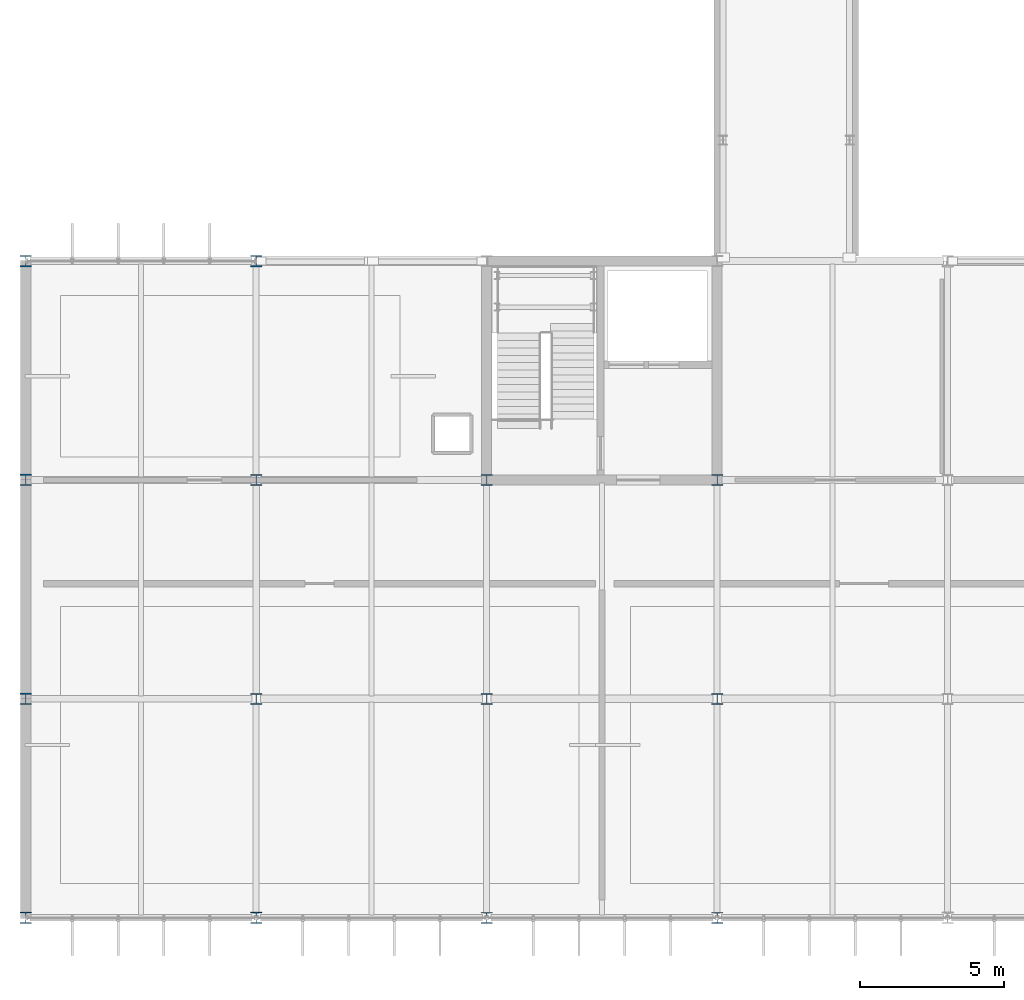
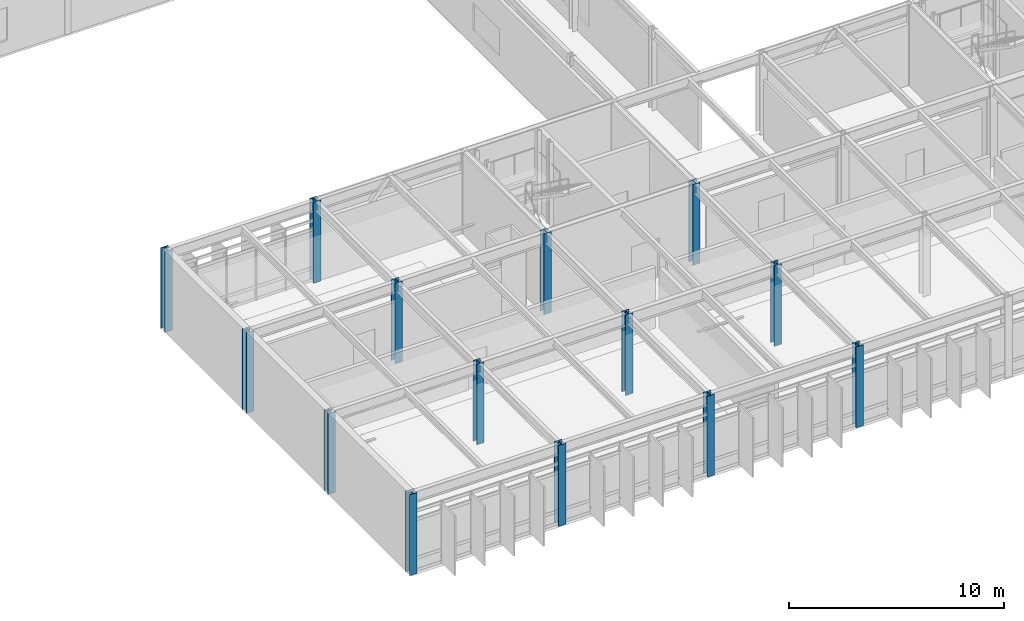
# One storey, part 1 of 104: 14 columns.
"""IFC4 building model written with IfcOpenShell, lengths in metres."""

import ifcopenshell
import ifcopenshell.guid

model = None  # the IFC model being written
_history = None  # IfcOwnerHistory: only IFC2X3 demands one
_inside = {}  # id of a spatial element -> (the spatial element, [elements in it])
_under = {}  # id of a project, library or spatial element -> (it, [spatial elements below it])
_declared = {}  # id of a project -> (the project, [libraries it declares])
_typed = {}  # id of a type object -> (the type object, [elements of that type])
_made_of = {}  # id of a material, layer set ... -> (it, [elements and type objects made of it])


def new_model(schema):
    """Start an empty IFC model of exactly this schema.

    Asked for "IFC4X3", IfcOpenShell would pick the latest addendum, in which some entities
    have other attributes; the version numbers below select the first issue.
    IFC2X3 requires an IfcOwnerHistory on every rooted entity: one is made here for all.
    """
    global model, _history
    if schema == "IFC4X3":
        model = ifcopenshell.file(schema_version=(4, 3, 0, 0))
    else:
        model = ifcopenshell.file(schema=schema)
    _inside.clear()
    _under.clear()
    _declared.clear()
    _typed.clear()
    _made_of.clear()
    _history = None
    if model.schema == "IFC2X3":
        org = make("IfcOrganization", Name="unknown")
        user = make(
            "IfcPersonAndOrganization",
            ThePerson=make("IfcPerson", FamilyName="unknown"),
            TheOrganization=org,
        )
        app = make(
            "IfcApplication",
            ApplicationDeveloper=org,
            Version="unknown",
            ApplicationFullName="unknown",
            ApplicationIdentifier="unknown",
        )
        _history = make(
            "IfcOwnerHistory",
            OwningUser=user,
            OwningApplication=app,
            ChangeAction="ADDED",
            CreationDate=0,
        )
    return model


def make(cls, **values):
    """One entity of the class cls with the attributes given. An attribute that is None is left unset."""
    return model.create_entity(
        cls, **{name: value for name, value in values.items() if value is not None}
    )


def rooted(cls, **values):
    """An entity with a GlobalId (a new one), such as an element, a storey or a relation."""
    return make(cls, GlobalId=ifcopenshell.guid.new(), OwnerHistory=_history, **values)


def si_unit(unit_type, name, prefix=None):
    """IfcSIUnit, for example si_unit("LENGTHUNIT", "METRE", prefix="MILLI")."""
    return make("IfcSIUnit", UnitType=unit_type, Prefix=prefix, Name=name)


def assignment(units):
    """IfcUnitAssignment: the units of a project."""
    return None if units is None else make("IfcUnitAssignment", Units=units)


def point(xyz):
    """IfcCartesianPoint."""
    return None if xyz is None else make("IfcCartesianPoint", Coordinates=xyz)


def direction(xyz):
    """IfcDirection."""
    return None if xyz is None else make("IfcDirection", DirectionRatios=xyz)


def frame(location, z_axis=None, x_axis=None):
    """IfcAxis2Placement3D, a coordinate frame: its origin and axes. An axis left out is left unset."""
    return make(
        "IfcAxis2Placement3D",
        Location=point(location),
        Axis=direction(z_axis),
        RefDirection=direction(x_axis),
    )


def frame_2d(location, x_axis=None):
    """IfcAxis2Placement2D, a coordinate frame in the plane: its origin and x axis."""
    return make(
        "IfcAxis2Placement2D", Location=point(location), RefDirection=direction(x_axis)
    )


def origin():
    """The frame at (0, 0, 0) with its axes left unset."""
    return frame((0.0, 0.0, 0.0))


def origin_2d():
    """The frame at (0, 0) in the plane with its x axis left unset."""
    return frame_2d((0.0, 0.0))


def place(relative_to, where):
    """IfcLocalPlacement: puts the frame where relative to a parent placement (None: the world)."""
    return make(
        "IfcLocalPlacement", PlacementRelTo=relative_to, RelativePlacement=where
    )


def context(
    kind, dimensions, precision=None, world=None, true_north=None, identifier=None
):
    """IfcGeometricRepresentationContext, for example the 3D "Model" context."""
    return make(
        "IfcGeometricRepresentationContext",
        ContextIdentifier=identifier,
        ContextType=kind,
        CoordinateSpaceDimension=dimensions,
        Precision=precision,
        WorldCoordinateSystem=world,
        TrueNorth=true_north,
    )


def subcontext(parent, identifier, kind, view, scale=None):
    """IfcGeometricRepresentationSubContext, for example "Body" below "Model"."""
    return make(
        "IfcGeometricRepresentationSubContext",
        ContextIdentifier=identifier,
        ContextType=kind,
        ParentContext=parent,
        TargetScale=scale,
        TargetView=view,
    )


def project(units=None, contexts=None):
    """IfcProject with its units and contexts."""
    return rooted(
        "IfcProject",
        Name="project",
        RepresentationContexts=contexts,
        UnitsInContext=assignment(units),
    )


def spatial(cls, under=None, at=None, **own):
    """A site, building, storey or space (cls), placed at a placement, below another one or the project."""
    s = rooted(cls, ObjectPlacement=at, **own)
    if under is not None:
        _under.setdefault(under.id(), (under, []))[1].append(s)
    return s


def profile(cls, at=None, kind="AREA", **sizes):
    """A parametric profile (cls). Its sizes go by their IFC names, for example OverallWidth=200.0."""
    return make(cls, ProfileType=kind, Position=at, **sizes)


def i_section(**sizes):
    """IfcIShapeProfileDef."""
    return profile("IfcIShapeProfileDef", **sizes)


def extrude(swept, where, along, depth):
    """IfcExtrudedAreaSolid: the profile swept, set in the frame where, extruded along a direction by depth."""
    return make(
        "IfcExtrudedAreaSolid",
        SweptArea=swept,
        Position=where,
        ExtrudedDirection=direction(along),
        Depth=depth,
    )


def shape(context_of_items, identifier, shape_type, items):
    """IfcShapeRepresentation: the items that make up one representation, for example the "Body"."""
    return make(
        "IfcShapeRepresentation",
        ContextOfItems=context_of_items,
        RepresentationIdentifier=identifier,
        RepresentationType=shape_type,
        Items=items,
    )


def material(Name=None, Category=None):
    """IfcMaterial."""
    return make("IfcMaterial", Name=Name, Category=Category)


def material_profile(
    of_material, cross_section, Name=None, Category=None, Priority=None
):
    """IfcMaterialProfile: a cross section and its material."""
    return make(
        "IfcMaterialProfile",
        Name=Name,
        Material=of_material,
        Profile=cross_section,
        Priority=Priority,
        Category=Category,
    )


def profile_set(profiles, Name=None, composite=None):
    """IfcMaterialProfileSet."""
    return make(
        "IfcMaterialProfileSet",
        Name=Name,
        MaterialProfiles=profiles,
        CompositeProfile=composite,
    )


def made_of(thing, what):
    """Note that an element or type object is made of a material, layer set ...; save() writes the relation."""
    if what is not None:
        _made_of.setdefault(what.id(), (what, []))[1].append(thing)
    return thing


def type_object(cls, material=None, **own):
    """A type object (cls), such as IfcWallType, which elements share."""
    return made_of(rooted(cls, **own), material)


def element(
    cls,
    number,
    at=None,
    inside=None,
    cuts=None,
    type_object=None,
    material=None,
    context=None,
    identifier="Body",
    shape_type=None,
    held_by="IfcProductDefinitionShape",
    body=None,
    shapes=None,
    **own,
):
    """One element of the class cls, such as IfcWall. Its Tag is "e" and its number.

    at: its placement. inside: the storey or other place that contains it. cuts: it is an
    opening in that element (IfcRelVoidsElement). A single representation is given by context,
    identifier, shape_type and body (its items); several are given by shapes. held_by: the class
    of the entity that holds the representations. save() writes the other relations.
    """
    e = rooted(cls, Tag="e%d" % number, ObjectPlacement=at, **own)
    if body is not None:
        shapes = [shape(context, identifier, shape_type, body)]
    if shapes is not None:
        e.Representation = make(held_by, Representations=shapes)
    if inside is not None:
        _inside.setdefault(inside.id(), (inside, []))[1].append(e)
    if cuts is not None:
        rooted(
            "IfcRelVoidsElement", RelatingBuildingElement=cuts, RelatedOpeningElement=e
        )
    if type_object is not None:
        _typed.setdefault(type_object.id(), (type_object, []))[1].append(e)
    return made_of(e, material)


def aggregate(whole, parts):
    """IfcRelAggregates: a whole, such as a stair, and the parts it consists of."""
    return rooted("IfcRelAggregates", RelatingObject=whole, RelatedObjects=parts)


def save(model, path):
    """Write the relations noted so far, then the file.

    IfcRelAggregates (storeys below a building ...), IfcRelContainedInSpatialStructure (elements
    in a storey), IfcRelDefinesByType, IfcRelAssociatesMaterial and IfcRelDeclares: one each for
    every whole, place, type object, material and project.
    """
    for whole, parts in _under.values():
        aggregate(whole, parts)
    for where, things in _inside.values():
        rooted(
            "IfcRelContainedInSpatialStructure",
            RelatedElements=things,
            RelatingStructure=where,
        )
    for kind, things in _typed.values():
        rooted("IfcRelDefinesByType", RelatedObjects=things, RelatingType=kind)
    for what, things in _made_of.values():
        rooted("IfcRelAssociatesMaterial", RelatedObjects=things, RelatingMaterial=what)
    for by, libraries in _declared.values():
        rooted("IfcRelDeclares", RelatingContext=by, RelatedDefinitions=libraries)
    model.write(path)


model = new_model("IFC4")

# Units and contexts
model_context = context("Model", 3, precision=1e-05, world=origin(), true_north=direction((0.0, 1.0)))
body_context = subcontext(model_context, "Body", "Model", "MODEL_VIEW")
ifc_project = project(units=[si_unit("LENGTHUNIT", "METRE"), si_unit("AREAUNIT", "SQUARE_METRE"), si_unit("VOLUMEUNIT", "CUBIC_METRE"), si_unit("PLANEANGLEUNIT", "RADIAN"), si_unit("MASSUNIT", "GRAM", prefix="KILO")], contexts=[model_context])

# Site, building, storey
site_placement = place(None, origin())
site = spatial("IfcSite", under=ifc_project, at=site_placement, CompositionType="ELEMENT")
building_placement = place(site_placement, origin())
building = spatial("IfcBuilding", under=site, at=building_placement, Name="Zulena Civic Courthouse", CompositionType="ELEMENT")
storey_placement = place(building_placement, frame((0.0, 0.0, 10.800048828125)))
storey = spatial("IfcBuildingStorey", under=building, at=storey_placement, Name="L02", CompositionType="ELEMENT", Elevation=10.800048828125)

# Columns
ifc_material = material(Name="Steel ASTM A992 Grade 50", Category="steel")
ifc_material_profile_1 = material_profile(ifc_material, i_section(OverallWidth=0.39404296875, OverallDepth=0.3759765625, WebThickness=0.017333984375, FlangeThickness=0.027587890625, FilletRadius=0.01513671875, at=origin_2d()), Name="W14X145")
ifc_profile_set_1 = profile_set([ifc_material_profile_1], Name="Steel ASTM A992 Grade 50")
column_type_1 = type_object("IfcColumnType", Name="Col_W14X145", PredefinedType="COLUMN", material=ifc_profile_set_1)
for number, where, z_axis, x_axis, name in (
    (1, (12.0, 7.60009765625, 0.0), (0.0, 0.0, 1.0), (1.0, 0.0, 0.0), "col:V2:L02:12.0:7.6"),
    (2, (12.0, 15.199951171875, 0.0), (0.0, 0.0, 1.0), (1.0, 0.0, 0.0), "col:V2:L02:12.0:15.2"),
    (3, (20.0, 7.60009765625, 0.0), (0.0, 0.0, 1.0), (1.0, 0.0, 0.0), "col:V2:L02:20.0:7.6"),
    (4, (20.0, 15.199951171875, 0.0), (0.0, 0.0, 1.0), (1.0, 0.0, 0.0), "col:V2:L02:20.0:15.2"),
    (5, (28.0, 7.60009765625, 0.0), (0.0, 0.0, 1.0), (1.0, 0.0, 0.0), "col:V2:L02:28.0:7.6"),
    (6, (28.0, 15.199951171875, 0.0), (0.0, 0.0, 1.0), (1.0, 0.0, 0.0), "col:V2:L02:28.0:15.2"),
):
    element("IfcColumn", number, at=place(storey_placement, frame(where, z_axis=z_axis, x_axis=x_axis)), inside=storey, type_object=column_type_1, Name=name, PredefinedType="COLUMN", context=body_context, shape_type="SweptSolid", body=[
        extrude(i_section(OverallWidth=0.39404296875, OverallDepth=0.3759765625, WebThickness=0.017333984375, FlangeThickness=0.027587890625, FilletRadius=0.01513671875, at=origin_2d()), origin(), (0.0, 0.0, 1.0), 4.58984375),
    ])
ifc_material_profile_2 = material_profile(ifc_material, i_section(OverallWidth=0.39892578125, OverallDepth=0.386962890625, WebThickness=0.02099609375, FlangeThickness=0.033203125, FilletRadius=0.01513671875, at=origin_2d()), Name="W14X176")
ifc_profile_set_2 = profile_set([ifc_material_profile_2], Name="Steel ASTM A992 Grade 50")
column_type_2 = type_object("IfcColumnType", Name="Col_W14X176", PredefinedType="COLUMN", material=ifc_profile_set_2)
for number, where, z_axis, x_axis, name in (
    (7, (20.0, 0.0, 0.0), (0.0, 0.0, 1.0), (1.0, 0.0, 0.0), "col:V2:L02:20.0:0.0"),
    (8, (28.0, 0.0, 0.0), (0.0, 0.0, 1.0), (1.0, 0.0, 0.0), "col:V2:L02:28.0:0.0"),
):
    element("IfcColumn", number, at=place(storey_placement, frame(where, z_axis=z_axis, x_axis=x_axis)), inside=storey, type_object=column_type_2, Name=name, PredefinedType="COLUMN", context=body_context, shape_type="SweptSolid", body=[
        extrude(i_section(OverallWidth=0.39892578125, OverallDepth=0.386962890625, WebThickness=0.02099609375, FlangeThickness=0.033203125, FilletRadius=0.01513671875, at=origin_2d()), origin(), (0.0, 0.0, 1.0), 4.58984375),
    ])
ifc_material_profile_3 = material_profile(ifc_material, i_section(OverallWidth=0.40087890625, OverallDepth=0.39892578125, WebThickness=0.02490234375, FlangeThickness=0.03955078125, FilletRadius=0.01513671875, at=origin_2d()), Name="W14X211")
ifc_profile_set_3 = profile_set([ifc_material_profile_3], Name="Steel ASTM A992 Grade 50")
column_type_3 = type_object("IfcColumnType", Name="Col_W14X211", PredefinedType="COLUMN", material=ifc_profile_set_3)
for number, where, z_axis, x_axis, name in (
    (9, (4.0, 0.0, 0.0), (0.0, 0.0, 1.0), (1.0, 0.0, 0.0), "col:V2:L02:4.0:0.0"),
    (10, (4.0, 7.60009765625, 0.0), (0.0, 0.0, 1.0), (1.0, 0.0, 0.0), "col:V2:L02:4.0:7.6"),
    (11, (4.0, 15.199951171875, 0.0), (0.0, 0.0, 1.0), (1.0, 0.0, 0.0), "col:V2:L02:4.0:15.2"),
    (12, (4.0, 22.800048828125, 0.0), (0.0, 0.0, 1.0), (1.0, 0.0, 0.0), "col:V2:L02:4.0:22.8"),
    (13, (12.0, 0.0, 0.0), (0.0, 0.0, 1.0), (1.0, 0.0, 0.0), "col:V2:L02:12.0:0.0"),
    (14, (12.0, 22.800048828125, 0.0), (0.0, 0.0, 1.0), (1.0, 0.0, 0.0), "col:V2:L02:12.0:22.8"),
):
    element("IfcColumn", number, at=place(storey_placement, frame(where, z_axis=z_axis, x_axis=x_axis)), inside=storey, type_object=column_type_3, Name=name, PredefinedType="COLUMN", context=body_context, shape_type="SweptSolid", body=[
        extrude(i_section(OverallWidth=0.40087890625, OverallDepth=0.39892578125, WebThickness=0.02490234375, FlangeThickness=0.03955078125, FilletRadius=0.01513671875, at=origin_2d()), origin(), (0.0, 0.0, 1.0), 4.58984375),
    ])

save(model, "model.ifc")
